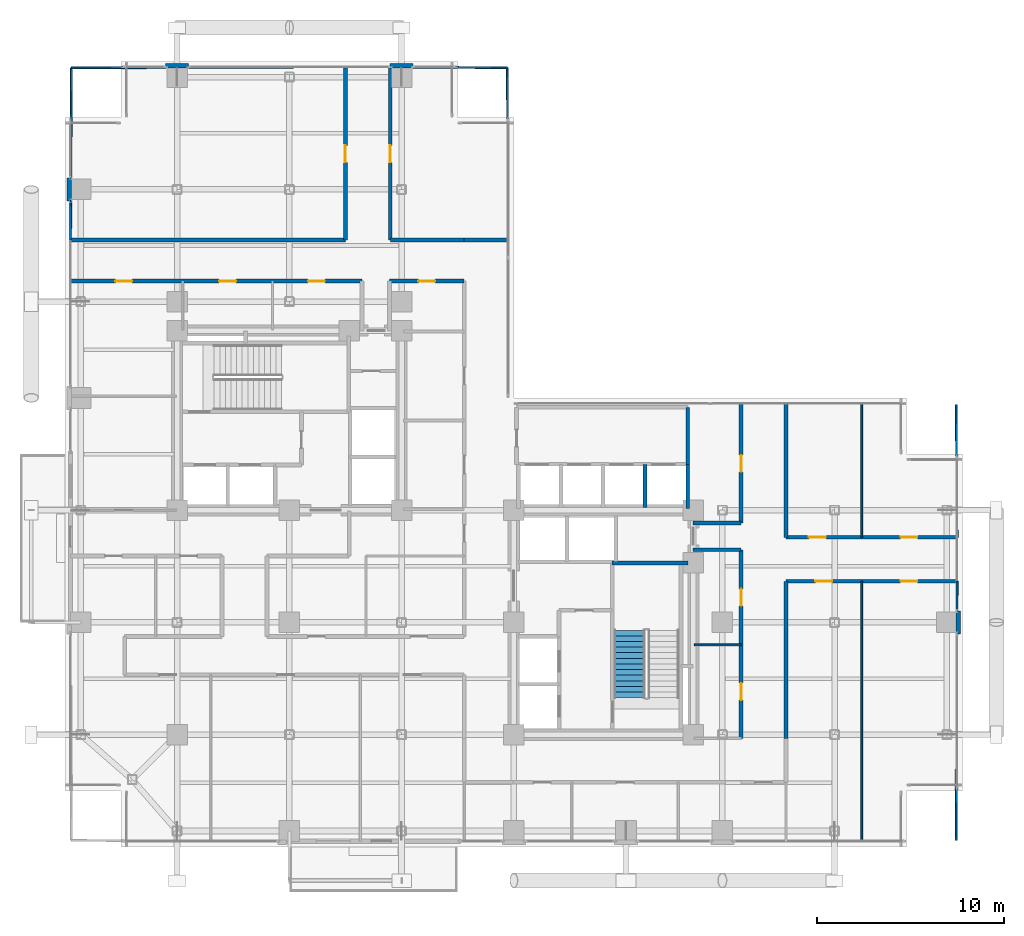
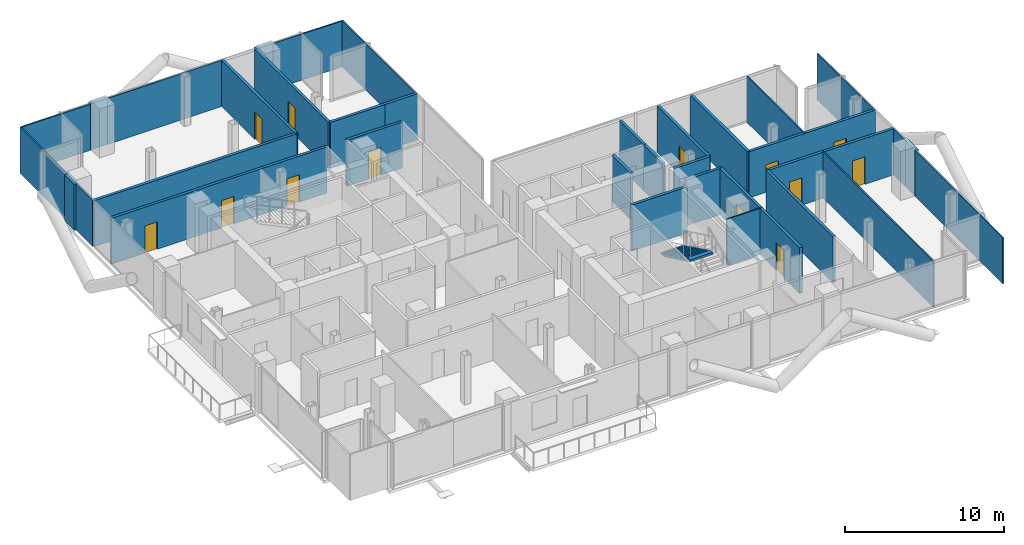
# One storey, part 21 of 24: 35 walls, 13 doors, 1 stair flight, 13 openings, 1 element without a shape of its own.
"""IFC4 building model written with IfcOpenShell, lengths in metres."""

import ifcopenshell
import ifcopenshell.guid

model = None  # the IFC model being written
_history = None  # IfcOwnerHistory: only IFC2X3 demands one
_inside = {}  # id of a spatial element -> (the spatial element, [elements in it])
_under = {}  # id of a project, library or spatial element -> (it, [spatial elements below it])
_declared = {}  # id of a project -> (the project, [libraries it declares])
_typed = {}  # id of a type object -> (the type object, [elements of that type])
_made_of = {}  # id of a material, layer set ... -> (it, [elements and type objects made of it])


def new_model(schema):
    """Start an empty IFC model of exactly this schema.

    Asked for "IFC4X3", IfcOpenShell would pick the latest addendum, in which some entities
    have other attributes; the version numbers below select the first issue.
    IFC2X3 requires an IfcOwnerHistory on every rooted entity: one is made here for all.
    """
    global model, _history
    if schema == "IFC4X3":
        model = ifcopenshell.file(schema_version=(4, 3, 0, 0))
    else:
        model = ifcopenshell.file(schema=schema)
    _inside.clear()
    _under.clear()
    _declared.clear()
    _typed.clear()
    _made_of.clear()
    _history = None
    if model.schema == "IFC2X3":
        org = make("IfcOrganization", Name="unknown")
        user = make(
            "IfcPersonAndOrganization",
            ThePerson=make("IfcPerson", FamilyName="unknown"),
            TheOrganization=org,
        )
        app = make(
            "IfcApplication",
            ApplicationDeveloper=org,
            Version="unknown",
            ApplicationFullName="unknown",
            ApplicationIdentifier="unknown",
        )
        _history = make(
            "IfcOwnerHistory",
            OwningUser=user,
            OwningApplication=app,
            ChangeAction="ADDED",
            CreationDate=0,
        )
    return model


def make(cls, **values):
    """One entity of the class cls with the attributes given. An attribute that is None is left unset."""
    return model.create_entity(
        cls, **{name: value for name, value in values.items() if value is not None}
    )


def rooted(cls, **values):
    """An entity with a GlobalId (a new one), such as an element, a storey or a relation."""
    return make(cls, GlobalId=ifcopenshell.guid.new(), OwnerHistory=_history, **values)


def si_unit(unit_type, name, prefix=None):
    """IfcSIUnit, for example si_unit("LENGTHUNIT", "METRE", prefix="MILLI")."""
    return make("IfcSIUnit", UnitType=unit_type, Prefix=prefix, Name=name)


def assignment(units):
    """IfcUnitAssignment: the units of a project."""
    return None if units is None else make("IfcUnitAssignment", Units=units)


def point(xyz):
    """IfcCartesianPoint."""
    return None if xyz is None else make("IfcCartesianPoint", Coordinates=xyz)


def direction(xyz):
    """IfcDirection."""
    return None if xyz is None else make("IfcDirection", DirectionRatios=xyz)


def frame(location, z_axis=None, x_axis=None):
    """IfcAxis2Placement3D, a coordinate frame: its origin and axes. An axis left out is left unset."""
    return make(
        "IfcAxis2Placement3D",
        Location=point(location),
        Axis=direction(z_axis),
        RefDirection=direction(x_axis),
    )


def frame_2d(location, x_axis=None):
    """IfcAxis2Placement2D, a coordinate frame in the plane: its origin and x axis."""
    return make(
        "IfcAxis2Placement2D", Location=point(location), RefDirection=direction(x_axis)
    )


def origin():
    """The frame at (0, 0, 0) with its axes left unset."""
    return frame((0.0, 0.0, 0.0))


def place(relative_to, where):
    """IfcLocalPlacement: puts the frame where relative to a parent placement (None: the world)."""
    return make(
        "IfcLocalPlacement", PlacementRelTo=relative_to, RelativePlacement=where
    )


def context(
    kind, dimensions, precision=None, world=None, true_north=None, identifier=None
):
    """IfcGeometricRepresentationContext, for example the 3D "Model" context."""
    return make(
        "IfcGeometricRepresentationContext",
        ContextIdentifier=identifier,
        ContextType=kind,
        CoordinateSpaceDimension=dimensions,
        Precision=precision,
        WorldCoordinateSystem=world,
        TrueNorth=true_north,
    )


def subcontext(parent, identifier, kind, view, scale=None):
    """IfcGeometricRepresentationSubContext, for example "Body" below "Model"."""
    return make(
        "IfcGeometricRepresentationSubContext",
        ContextIdentifier=identifier,
        ContextType=kind,
        ParentContext=parent,
        TargetScale=scale,
        TargetView=view,
    )


def project(units=None, contexts=None):
    """IfcProject with its units and contexts."""
    return rooted(
        "IfcProject",
        Name="project",
        RepresentationContexts=contexts,
        UnitsInContext=assignment(units),
    )


def spatial(cls, under=None, at=None, **own):
    """A site, building, storey or space (cls), placed at a placement, below another one or the project."""
    s = rooted(cls, ObjectPlacement=at, **own)
    if under is not None:
        _under.setdefault(under.id(), (under, []))[1].append(s)
    return s


def polyline(points):
    """IfcPolyline through the points."""
    return make("IfcPolyline", Points=[point(p) for p in points])


def profile(cls, at=None, kind="AREA", **sizes):
    """A parametric profile (cls). Its sizes go by their IFC names, for example OverallWidth=200.0."""
    return make(cls, ProfileType=kind, Position=at, **sizes)


def rectangle(**sizes):
    """IfcRectangleProfileDef."""
    return profile("IfcRectangleProfileDef", **sizes)


def outline(outer, holes=None, kind="AREA"):
    """IfcArbitraryClosedProfileDef: a profile drawn as a closed curve; with holes, ...WithVoids."""
    if holes is None:
        return make("IfcArbitraryClosedProfileDef", ProfileType=kind, OuterCurve=outer)
    return make(
        "IfcArbitraryProfileDefWithVoids",
        ProfileType=kind,
        OuterCurve=outer,
        InnerCurves=holes,
    )


def extrude(swept, where, along, depth):
    """IfcExtrudedAreaSolid: the profile swept, set in the frame where, extruded along a direction by depth."""
    return make(
        "IfcExtrudedAreaSolid",
        SweptArea=swept,
        Position=where,
        ExtrudedDirection=direction(along),
        Depth=depth,
    )


def shape(context_of_items, identifier, shape_type, items):
    """IfcShapeRepresentation: the items that make up one representation, for example the "Body"."""
    return make(
        "IfcShapeRepresentation",
        ContextOfItems=context_of_items,
        RepresentationIdentifier=identifier,
        RepresentationType=shape_type,
        Items=items,
    )


def material(Name=None, Category=None):
    """IfcMaterial."""
    return make("IfcMaterial", Name=Name, Category=Category)


def layer(
    of_material, thickness, ventilated=None, Name=None, Category=None, Priority=None
):
    """IfcMaterialLayer: one layer of a wall or slab, of a material (None: an air gap)."""
    return make(
        "IfcMaterialLayer",
        Material=of_material,
        LayerThickness=thickness,
        IsVentilated=ventilated,
        Name=Name,
        Category=Category,
        Priority=Priority,
    )


def layer_set(layers, Name=None):
    """IfcMaterialLayerSet."""
    return make("IfcMaterialLayerSet", MaterialLayers=layers, LayerSetName=Name)


def made_of(thing, what):
    """Note that an element or type object is made of a material, layer set ...; save() writes the relation."""
    if what is not None:
        _made_of.setdefault(what.id(), (what, []))[1].append(thing)
    return thing


def type_object(cls, material=None, **own):
    """A type object (cls), such as IfcWallType, which elements share."""
    return made_of(rooted(cls, **own), material)


def element(
    cls,
    number,
    at=None,
    inside=None,
    cuts=None,
    type_object=None,
    material=None,
    context=None,
    identifier="Body",
    shape_type=None,
    held_by="IfcProductDefinitionShape",
    body=None,
    shapes=None,
    **own,
):
    """One element of the class cls, such as IfcWall. Its Tag is "e" and its number.

    at: its placement. inside: the storey or other place that contains it. cuts: it is an
    opening in that element (IfcRelVoidsElement). A single representation is given by context,
    identifier, shape_type and body (its items); several are given by shapes. held_by: the class
    of the entity that holds the representations. save() writes the other relations.
    """
    e = rooted(cls, Tag="e%d" % number, ObjectPlacement=at, **own)
    if body is not None:
        shapes = [shape(context, identifier, shape_type, body)]
    if shapes is not None:
        e.Representation = make(held_by, Representations=shapes)
    if inside is not None:
        _inside.setdefault(inside.id(), (inside, []))[1].append(e)
    if cuts is not None:
        rooted(
            "IfcRelVoidsElement", RelatingBuildingElement=cuts, RelatedOpeningElement=e
        )
    if type_object is not None:
        _typed.setdefault(type_object.id(), (type_object, []))[1].append(e)
    return made_of(e, material)


def fill(opening, filler):
    """IfcRelFillsElement: the door or window that sits in an opening."""
    return rooted(
        "IfcRelFillsElement",
        RelatingOpeningElement=opening,
        RelatedBuildingElement=filler,
    )


def aggregate(whole, parts):
    """IfcRelAggregates: a whole, such as a stair, and the parts it consists of."""
    return rooted("IfcRelAggregates", RelatingObject=whole, RelatedObjects=parts)


def save(model, path):
    """Write the relations noted so far, then the file.

    IfcRelAggregates (storeys below a building ...), IfcRelContainedInSpatialStructure (elements
    in a storey), IfcRelDefinesByType, IfcRelAssociatesMaterial and IfcRelDeclares: one each for
    every whole, place, type object, material and project.
    """
    for whole, parts in _under.values():
        aggregate(whole, parts)
    for where, things in _inside.values():
        rooted(
            "IfcRelContainedInSpatialStructure",
            RelatedElements=things,
            RelatingStructure=where,
        )
    for kind, things in _typed.values():
        rooted("IfcRelDefinesByType", RelatedObjects=things, RelatingType=kind)
    for what, things in _made_of.values():
        rooted("IfcRelAssociatesMaterial", RelatedObjects=things, RelatingMaterial=what)
    for by, libraries in _declared.values():
        rooted("IfcRelDeclares", RelatingContext=by, RelatedDefinitions=libraries)
    model.write(path)


model = new_model("IFC4")

# Units and contexts
model_context = context("Model", 3, precision=1e-05, world=origin(), true_north=direction((0.0, 1.0)))
body_context = subcontext(model_context, "Body", "Model", "MODEL_VIEW")
ifc_project = project(units=[si_unit("LENGTHUNIT", "METRE"), si_unit("AREAUNIT", "SQUARE_METRE"), si_unit("VOLUMEUNIT", "CUBIC_METRE"), si_unit("PLANEANGLEUNIT", "RADIAN"), si_unit("MASSUNIT", "GRAM", prefix="KILO"), si_unit("THERMODYNAMICTEMPERATUREUNIT", "KELVIN"), si_unit("POWERUNIT", "WATT")], contexts=[model_context])

# Site, building, storey
site_placement = place(None, origin())
site = spatial("IfcSite", under=ifc_project, at=site_placement, CompositionType="ELEMENT")
building_placement = place(site_placement, origin())
building = spatial("IfcBuilding", under=site, at=building_placement, Name="Svarakhadi Broadcast Tower", CompositionType="ELEMENT")
storey_placement = place(building_placement, frame((0.0, 0.0, 141.89990234375)))
storey = spatial("IfcBuildingStorey", under=building, at=storey_placement, Name="L34", CompositionType="ELEMENT", Elevation=141.89990234375)

# Wall, openings, doors
ifc_material_1 = material(Name="Double-Stud Acoustic Studio Partition STC-62", Category="gypsum")
ifc_layer_1 = layer(ifc_material_1, 0.199951171875)
ifc_layer_set_1 = layer_set([ifc_layer_1], Name="Double-Stud Acoustic Studio Partition STC-62")
wall_type_1 = type_object("IfcWallType", Name="Wall_Acoust_200", PredefinedType="PARTITIONING", material=ifc_layer_set_1)
wall_1_placement = place(storey_placement, frame((36.14990234375, 5.800048828125, 0.0), z_axis=(0.0, 0.0, 1.0), x_axis=(0.0, 1.0, 0.0)))
wall_1 = element("IfcWall", 1, at=wall_1_placement, inside=storey, type_object=wall_type_1, Name="L34 Zone 2/3 Corridor Wall", PredefinedType="PARTITIONING", context=body_context, shape_type="SweptSolid", body=[
    extrude(rectangle(XDim=10.079833984375, YDim=0.199951171875, at=frame_2d((5.0400390625, 0.0))), origin(), (0.0, 0.0, 1.0), 3.525146484375),
])
opening_1_placement = place(wall_1_placement, frame((2.050048828125, 0.0, 0.0)))
opening_1 = element("IfcOpeningElement", 2, at=opening_1_placement, cuts=wall_1, Name="Opening D-15", PredefinedType="OPENING", context=body_context, shape_type="SweptSolid", body=[
    extrude(rectangle(XDim=0.89990234375, YDim=2.10009765625, at=frame_2d((0.449951171875, 1.050048828125))), frame((0.0, 0.10986328125, 0.0), z_axis=(0.0, -1.0, 0.0), x_axis=(1.0, 0.0, 0.0)), (0.0, 0.0, 1.0), 0.219970703125),
])
opening_2_placement = place(wall_1_placement, frame((7.090087890625, 0.0, 0.0)))
opening_2 = element("IfcOpeningElement", 3, at=opening_2_placement, cuts=wall_1, Name="Opening D-15", PredefinedType="OPENING", context=body_context, shape_type="SweptSolid", body=[
    extrude(rectangle(XDim=0.89990234375, YDim=2.10009765625, at=frame_2d((0.449951171875, 1.050048828125))), frame((0.0, 0.10986328125, 0.0), z_axis=(0.0, -1.0, 0.0), x_axis=(1.0, 0.0, 0.0)), (0.0, 0.0, 1.0), 0.219970703125),
])
ifc_material_2 = material(Name="Solid-Core Teak Veneer Acoustic Timber Leaf", Category="wood")
door_type_1 = type_object("IfcDoorType", Name="Door_Int_D15", OperationType="SINGLE_SWING_RIGHT", PredefinedType="DOOR", material=ifc_material_2)
door_1_placement = place(opening_1_placement, origin())
door_1 = element("IfcDoor", 4, at=door_1_placement, inside=storey, type_object=door_type_1, Name="L34 Media Playout Monitoring Office Door", OperationType="SINGLE_SWING_RIGHT", OverallHeight=2.10009765625, OverallWidth=0.89990234375, PredefinedType="DOOR", context=body_context, shape_type="SweptSolid", body=[
    extrude(rectangle(XDim=0.89990234375, YDim=2.10009765625, at=frame_2d((0.449951171875, 1.050048828125))), frame((0.0, 0.02490234375, 0.0), z_axis=(0.0, -1.0, 0.0), x_axis=(1.0, 0.0, 0.0)), (0.0, 0.0, 1.0), 0.050048828125),
])
fill(opening_1, door_1)
door_2_placement = place(opening_2_placement, origin())
door_2 = element("IfcDoor", 5, at=door_2_placement, inside=storey, type_object=door_type_1, Name="L34 Broadcast Ingest Studio Door", OperationType="SINGLE_SWING_RIGHT", OverallHeight=2.10009765625, OverallWidth=0.89990234375, PredefinedType="DOOR", context=body_context, shape_type="SweptSolid", body=[
    extrude(rectangle(XDim=0.89990234375, YDim=2.10009765625, at=frame_2d((0.449951171875, 1.050048828125))), frame((0.0, 0.02490234375, 0.0), z_axis=(0.0, -1.0, 0.0), x_axis=(1.0, 0.0, 0.0)), (0.0, 0.0, 1.0), 0.050048828125),
])
fill(opening_2, door_2)

# Walls
for number, where, z_axis, x_axis, name in (
    (6, (36.14990234375, 15.8798828125, 0.0), (0.0, 0.0, 1.0), (-1.0, 0.0, 0.0), "L34 Zone 2/3 Corridor Wall"),
    (7, (33.580078125, 17.320068359375, 0.0), (0.0, 0.0, 1.0), (1.0, 0.0, 0.0), "L34 Zone 2/3 Corridor Wall"),
):
    element("IfcWall", number, at=place(storey_placement, frame(where, z_axis=z_axis, x_axis=x_axis)), inside=storey, type_object=wall_type_1, Name=name, PredefinedType="PARTITIONING", context=body_context, shape_type="SweptSolid", body=[
        extrude(rectangle(XDim=2.56982421875, YDim=0.199951171875, at=frame_2d((1.284912109375, 0.0))), origin(), (0.0, 0.0, 1.0), 3.525146484375),
    ])

# Wall, opening, door
wall_2_placement = place(storey_placement, frame((36.14990234375, 17.320068359375, 0.0), z_axis=(0.0, 0.0, 1.0), x_axis=(0.0, 1.0, 0.0)))
wall_2 = element("IfcWall", 8, at=wall_2_placement, inside=storey, type_object=wall_type_1, Name="L34 Zone 2/3 Corridor Wall", PredefinedType="PARTITIONING", context=body_context, shape_type="SweptSolid", body=[
    extrude(rectangle(XDim=6.3798828125, YDim=0.199951171875, at=frame_2d((3.18994140625, 0.0))), origin(), (0.0, 0.0, 1.0), 3.525146484375),
])
opening_3_placement = place(wall_2_placement, frame((2.72998046875, 0.0, 0.0)))
opening_3 = element("IfcOpeningElement", 9, at=opening_3_placement, cuts=wall_2, Name="Opening D-15", PredefinedType="OPENING", context=body_context, shape_type="SweptSolid", body=[
    extrude(rectangle(XDim=0.89990234375, YDim=2.10009765625, at=frame_2d((0.449951171875, 1.050048828125))), frame((0.0, 0.10986328125, 0.0), z_axis=(0.0, -1.0, 0.0), x_axis=(1.0, 0.0, 0.0)), (0.0, 0.0, 1.0), 0.219970703125),
])
door_3_placement = place(opening_3_placement, origin())
door_3 = element("IfcDoor", 10, at=door_3_placement, inside=storey, type_object=door_type_1, Name="L34 Post-Production Coordination Office Door", OperationType="SINGLE_SWING_RIGHT", OverallHeight=2.10009765625, OverallWidth=0.89990234375, PredefinedType="DOOR", context=body_context, shape_type="SweptSolid", body=[
    extrude(rectangle(XDim=0.89990234375, YDim=2.10009765625, at=frame_2d((0.449951171875, 1.050048828125))), frame((0.0, 0.02490234375, 0.0), z_axis=(0.0, -1.0, 0.0), x_axis=(1.0, 0.0, 0.0)), (0.0, 0.0, 1.0), 0.050048828125),
])
fill(opening_3, door_3)

# Wall
wall_3_placement = place(storey_placement, frame((38.550048828125, 23.699951171875, 0.0), z_axis=(0.0, 0.0, 1.0), x_axis=(0.0, -1.0, 0.0)))
element("IfcWall", 11, at=wall_3_placement, inside=storey, type_object=wall_type_1, Name="L34 Zone 2/3 Corridor Wall", PredefinedType="PARTITIONING", context=body_context, shape_type="SweptSolid", body=[
    extrude(rectangle(XDim=7.14990234375, YDim=0.199951171875, at=frame_2d((3.574951171875, 0.0))), origin(), (0.0, 0.0, 1.0), 3.525146484375),
])

# Wall, openings, doors
wall_4_placement = place(storey_placement, frame((38.550048828125, 16.550048828125, 0.0), z_axis=(0.0, 0.0, 1.0), x_axis=(1.0, 0.0, 0.0)))
wall_4 = element("IfcWall", 12, at=wall_4_placement, inside=storey, type_object=wall_type_1, Name="L34 Zone 2/3 Corridor Wall", PredefinedType="PARTITIONING", context=body_context, shape_type="SweptSolid", body=[
    extrude(rectangle(XDim=9.14990234375, YDim=0.199951171875, at=frame_2d((4.574951171875, 0.0))), origin(), (0.0, 0.0, 1.0), 3.525146484375),
])
opening_4_placement = place(wall_4_placement, frame((1.22998046875, 0.0, 0.0)))
opening_4 = element("IfcOpeningElement", 13, at=opening_4_placement, cuts=wall_4, Name="Opening D-14", PredefinedType="OPENING", context=body_context, shape_type="SweptSolid", body=[
    extrude(rectangle(XDim=0.89990234375, YDim=2.10009765625, at=frame_2d((0.449951171875, 1.050048828125))), frame((0.0, 0.10986328125, 0.0), z_axis=(0.0, -1.0, 0.0), x_axis=(1.0, 0.0, 0.0)), (0.0, 0.0, 1.0), 0.219970703125),
])
opening_5_placement = place(wall_4_placement, frame((6.125, 0.0, 0.0)))
opening_5 = element("IfcOpeningElement", 14, at=opening_5_placement, cuts=wall_4, Name="Opening D-15", PredefinedType="OPENING", context=body_context, shape_type="SweptSolid", body=[
    extrude(rectangle(XDim=0.89990234375, YDim=2.10009765625, at=frame_2d((0.449951171875, 1.050048828125))), frame((0.0, 0.10986328125, 0.0), z_axis=(0.0, -1.0, 0.0), x_axis=(1.0, 0.0, 0.0)), (0.0, 0.0, 1.0), 0.219970703125),
])
door_type_2 = type_object("IfcDoorType", Name="Door_Int_D14", OperationType="SINGLE_SWING_LEFT", PredefinedType="DOOR", material=ifc_material_2)
door_4_placement = place(opening_4_placement, origin())
door_4 = element("IfcDoor", 15, at=door_4_placement, inside=storey, type_object=door_type_2, Name="L34 Broadcast Graphics Room Door", OperationType="SINGLE_SWING_LEFT", OverallHeight=2.10009765625, OverallWidth=0.89990234375, PredefinedType="DOOR", context=body_context, shape_type="SweptSolid", body=[
    extrude(rectangle(XDim=0.89990234375, YDim=2.10009765625, at=frame_2d((0.449951171875, 1.050048828125))), frame((0.0, 0.02490234375, 0.0), z_axis=(0.0, -1.0, 0.0), x_axis=(1.0, 0.0, 0.0)), (0.0, 0.0, 1.0), 0.050048828125),
])
fill(opening_4, door_4)
door_5_placement = place(opening_5_placement, origin())
door_5 = element("IfcDoor", 16, at=door_5_placement, inside=storey, type_object=door_type_1, Name="L34 Graphics Workstation Office Door", OperationType="SINGLE_SWING_RIGHT", OverallHeight=2.10009765625, OverallWidth=0.89990234375, PredefinedType="DOOR", context=body_context, shape_type="SweptSolid", body=[
    extrude(rectangle(XDim=0.89990234375, YDim=2.10009765625, at=frame_2d((0.449951171875, 1.050048828125))), frame((0.0, 0.02490234375, 0.0), z_axis=(0.0, -1.0, 0.0), x_axis=(1.0, 0.0, 0.0)), (0.0, 0.0, 1.0), 0.050048828125),
])
fill(opening_5, door_5)

wall_5_placement = place(storey_placement, frame((47.699951171875, 14.199951171875, 0.0), z_axis=(0.0, 0.0, 1.0), x_axis=(-1.0, 0.0, 0.0)))
wall_5 = element("IfcWall", 17, at=wall_5_placement, inside=storey, type_object=wall_type_1, Name="L34 Zone 2/3 Corridor Wall", PredefinedType="PARTITIONING", context=body_context, shape_type="SweptSolid", body=[
    extrude(rectangle(XDim=9.14990234375, YDim=0.199951171875, at=frame_2d((4.574951171875, 0.0))), origin(), (0.0, 0.0, 1.0), 3.525146484375),
])
opening_6_placement = place(wall_5_placement, frame((6.675048828125, 0.0, 0.0)))
opening_6 = element("IfcOpeningElement", 18, at=opening_6_placement, cuts=wall_5, Name="Opening D-14", PredefinedType="OPENING", context=body_context, shape_type="SweptSolid", body=[
    extrude(rectangle(XDim=0.89990234375, YDim=2.10009765625, at=frame_2d((0.449951171875, 1.050048828125))), frame((0.0, 0.10986328125, 0.0), z_axis=(0.0, -1.0, 0.0), x_axis=(1.0, 0.0, 0.0)), (0.0, 0.0, 1.0), 0.219970703125),
])
opening_7_placement = place(wall_5_placement, frame((2.125, 0.0, 0.0)))
opening_7 = element("IfcOpeningElement", 19, at=opening_7_placement, cuts=wall_5, Name="Opening D-15", PredefinedType="OPENING", context=body_context, shape_type="SweptSolid", body=[
    extrude(rectangle(XDim=0.89990234375, YDim=2.10009765625, at=frame_2d((0.449951171875, 1.050048828125))), frame((0.0, 0.10986328125, 0.0), z_axis=(0.0, -1.0, 0.0), x_axis=(1.0, 0.0, 0.0)), (0.0, 0.0, 1.0), 0.219970703125),
])
door_6_placement = place(opening_6_placement, origin())
door_6 = element("IfcDoor", 20, at=door_6_placement, inside=storey, type_object=door_type_2, Name="L34 Concept Art Pod Door", OperationType="SINGLE_SWING_LEFT", OverallHeight=2.10009765625, OverallWidth=0.89990234375, PredefinedType="DOOR", context=body_context, shape_type="SweptSolid", body=[
    extrude(rectangle(XDim=0.89990234375, YDim=2.10009765625, at=frame_2d((0.449951171875, 1.050048828125))), frame((0.0, 0.02490234375, 0.0), z_axis=(0.0, -1.0, 0.0), x_axis=(1.0, 0.0, 0.0)), (0.0, 0.0, 1.0), 0.050048828125),
])
fill(opening_6, door_6)
door_7_placement = place(opening_7_placement, origin())
door_7 = element("IfcDoor", 21, at=door_7_placement, inside=storey, type_object=door_type_1, Name="L34 3D Rigging Pod Door", OperationType="SINGLE_SWING_RIGHT", OverallHeight=2.10009765625, OverallWidth=0.89990234375, PredefinedType="DOOR", context=body_context, shape_type="SweptSolid", body=[
    extrude(rectangle(XDim=0.89990234375, YDim=2.10009765625, at=frame_2d((0.449951171875, 1.050048828125))), frame((0.0, 0.02490234375, 0.0), z_axis=(0.0, -1.0, 0.0), x_axis=(1.0, 0.0, 0.0)), (0.0, 0.0, 1.0), 0.050048828125),
])
fill(opening_7, door_7)

# Wall
wall_6_placement = place(storey_placement, frame((38.550048828125, 14.199951171875, 0.0), z_axis=(0.0, 0.0, 1.0), x_axis=(0.0, -1.0, 0.0)))
element("IfcWall", 22, at=wall_6_placement, inside=storey, type_object=wall_type_1, Name="L34 Zone 2/3 Corridor Wall", PredefinedType="PARTITIONING", context=body_context, shape_type="SweptSolid", body=[
    extrude(rectangle(XDim=8.39990234375, YDim=0.199951171875, at=frame_2d((4.199951171875, 0.0))), origin(), (0.0, 0.0, 1.0), 3.525146484375),
])

# Wall, opening, door
wall_7_placement = place(storey_placement, frame((21.35009765625, 30.25, 0.0), z_axis=(0.0, 0.0, 1.0), x_axis=(-1.0, 0.0, 0.0)))
wall_7 = element("IfcWall", 23, at=wall_7_placement, inside=storey, type_object=wall_type_1, Name="L34 Zone 2/3 Corridor Wall", PredefinedType="PARTITIONING", context=body_context, shape_type="SweptSolid", body=[
    extrude(rectangle(XDim=4.0, YDim=0.199951171875, at=frame_2d((2.0, 0.0))), origin(), (0.0, 0.0, 1.0), 3.525146484375),
])
opening_8_placement = place(wall_7_placement, frame((1.550048828125, 0.0, 0.0)))
opening_8 = element("IfcOpeningElement", 24, at=opening_8_placement, cuts=wall_7, Name="Opening D-14", PredefinedType="OPENING", context=body_context, shape_type="SweptSolid", body=[
    extrude(rectangle(XDim=0.89990234375, YDim=2.10009765625, at=frame_2d((0.449951171875, 1.050048828125))), frame((0.0, 0.10986328125, 0.0), z_axis=(0.0, -1.0, 0.0), x_axis=(1.0, 0.0, 0.0)), (0.0, 0.0, 1.0), 0.219970703125),
])
door_8_placement = place(opening_8_placement, origin())
door_8 = element("IfcDoor", 25, at=door_8_placement, inside=storey, type_object=door_type_2, Name="L34 Media Continuity Study Door", OperationType="SINGLE_SWING_LEFT", OverallHeight=2.10009765625, OverallWidth=0.89990234375, PredefinedType="DOOR", context=body_context, shape_type="SweptSolid", body=[
    extrude(rectangle(XDim=0.89990234375, YDim=2.10009765625, at=frame_2d((0.449951171875, 1.050048828125))), frame((0.0, 0.02490234375, 0.0), z_axis=(0.0, -1.0, 0.0), x_axis=(1.0, 0.0, 0.0)), (0.0, 0.0, 1.0), 0.050048828125),
])
fill(opening_8, door_8)

# Wall, openings, doors
wall_8_placement = place(storey_placement, frame((15.8798828125, 30.25, 0.0), z_axis=(0.0, 0.0, 1.0), x_axis=(-1.0, 0.0, 0.0)))
wall_8 = element("IfcWall", 26, at=wall_8_placement, inside=storey, type_object=wall_type_1, Name="L34 Zone 2/3 Corridor Wall", PredefinedType="PARTITIONING", context=body_context, shape_type="SweptSolid", body=[
    extrude(rectangle(XDim=15.579833984375, YDim=0.199951171875, at=frame_2d((7.7900390625, 0.0))), origin(), (0.0, 0.0, 1.0), 3.525146484375),
])
opening_9_placement = place(wall_8_placement, frame((12.280029296875, 0.0, 0.0)))
opening_9 = element("IfcOpeningElement", 27, at=opening_9_placement, cuts=wall_8, Name="Opening D-14", PredefinedType="OPENING", context=body_context, shape_type="SweptSolid", body=[
    extrude(rectangle(XDim=0.89990234375, YDim=2.10009765625, at=frame_2d((0.449951171875, 1.050048828125))), frame((0.0, 0.10986328125, 0.0), z_axis=(0.0, -1.0, 0.0), x_axis=(1.0, 0.0, 0.0)), (0.0, 0.0, 1.0), 0.219970703125),
])
opening_10_placement = place(wall_8_placement, frame((6.72998046875, 0.0, 0.0)))
opening_10 = element("IfcOpeningElement", 28, at=opening_10_placement, cuts=wall_8, Name="Opening D-15", PredefinedType="OPENING", context=body_context, shape_type="SweptSolid", body=[
    extrude(rectangle(XDim=0.89990234375, YDim=2.10009765625, at=frame_2d((0.449951171875, 1.050048828125))), frame((0.0, 0.10986328125, 0.0), z_axis=(0.0, -1.0, 0.0), x_axis=(1.0, 0.0, 0.0)), (0.0, 0.0, 1.0), 0.219970703125),
])
opening_11_placement = place(wall_8_placement, frame((1.97998046875, 0.0, 0.0)))
opening_11 = element("IfcOpeningElement", 29, at=opening_11_placement, cuts=wall_8, Name="Opening D-14", PredefinedType="OPENING", context=body_context, shape_type="SweptSolid", body=[
    extrude(rectangle(XDim=0.89990234375, YDim=2.10009765625, at=frame_2d((0.449951171875, 1.050048828125))), frame((0.0, 0.10986328125, 0.0), z_axis=(0.0, -1.0, 0.0), x_axis=(1.0, 0.0, 0.0)), (0.0, 0.0, 1.0), 0.219970703125),
])
door_9_placement = place(opening_9_placement, origin())
door_9 = element("IfcDoor", 30, at=door_9_placement, inside=storey, type_object=door_type_2, Name="L34 Sunset Horizon Screening Room Door", OperationType="SINGLE_SWING_LEFT", OverallHeight=2.10009765625, OverallWidth=0.89990234375, PredefinedType="DOOR", context=body_context, shape_type="SweptSolid", body=[
    extrude(rectangle(XDim=0.89990234375, YDim=2.10009765625, at=frame_2d((0.449951171875, 1.050048828125))), frame((0.0, 0.02490234375, 0.0), z_axis=(0.0, -1.0, 0.0), x_axis=(1.0, 0.0, 0.0)), (0.0, 0.0, 1.0), 0.050048828125),
])
fill(opening_9, door_9)
door_10_placement = place(opening_11_placement, origin())
door_10 = element("IfcDoor", 31, at=door_10_placement, inside=storey, type_object=door_type_2, Name="L34 Editorial Color Grading Pod Door", OperationType="SINGLE_SWING_LEFT", OverallHeight=2.10009765625, OverallWidth=0.89990234375, PredefinedType="DOOR", context=body_context, shape_type="SweptSolid", body=[
    extrude(rectangle(XDim=0.89990234375, YDim=2.10009765625, at=frame_2d((0.449951171875, 1.050048828125))), frame((0.0, 0.02490234375, 0.0), z_axis=(0.0, -1.0, 0.0), x_axis=(1.0, 0.0, 0.0)), (0.0, 0.0, 1.0), 0.050048828125),
])
fill(opening_11, door_10)
door_11_placement = place(opening_10_placement, origin())
door_11 = element("IfcDoor", 32, at=door_11_placement, inside=storey, type_object=door_type_1, Name="L34 Acoustic Dubbing Booth Door", OperationType="SINGLE_SWING_RIGHT", OverallHeight=2.10009765625, OverallWidth=0.89990234375, PredefinedType="DOOR", context=body_context, shape_type="SweptSolid", body=[
    extrude(rectangle(XDim=0.89990234375, YDim=2.10009765625, at=frame_2d((0.449951171875, 1.050048828125))), frame((0.0, 0.02490234375, 0.0), z_axis=(0.0, -1.0, 0.0), x_axis=(1.0, 0.0, 0.0)), (0.0, 0.0, 1.0), 0.050048828125),
])
fill(opening_10, door_11)

# Wall
wall_9_placement = place(storey_placement, frame((0.300048828125, 32.449951171875, 0.0), z_axis=(0.0, 0.0, 1.0), x_axis=(1.0, 0.0, 0.0)))
element("IfcWall", 33, at=wall_9_placement, inside=storey, type_object=wall_type_1, Name="L34 Zone 2/3 Corridor Wall", PredefinedType="PARTITIONING", context=body_context, shape_type="SweptSolid", body=[
    extrude(rectangle(XDim=14.699951171875, YDim=0.199951171875, at=frame_2d((7.35009765625, 0.0))), origin(), (0.0, 0.0, 1.0), 3.525146484375),
])

# Wall, opening, door
wall_10_placement = place(storey_placement, frame((15.0, 32.449951171875, 0.0), z_axis=(0.0, 0.0, 1.0), x_axis=(0.0, 1.0, 0.0)))
wall_10 = element("IfcWall", 34, at=wall_10_placement, inside=storey, type_object=wall_type_1, Name="L34 Zone 2/3 Corridor Wall", PredefinedType="PARTITIONING", context=body_context, shape_type="SweptSolid", body=[
    extrude(rectangle(XDim=9.25, YDim=0.199951171875, at=frame_2d((4.625, 0.0))), origin(), (0.0, 0.0, 1.0), 3.525146484375),
])
opening_12_placement = place(wall_10_placement, frame((4.14990234375, 0.0, 0.0)))
opening_12 = element("IfcOpeningElement", 35, at=opening_12_placement, cuts=wall_10, Name="Opening D-15", PredefinedType="OPENING", context=body_context, shape_type="SweptSolid", body=[
    extrude(rectangle(XDim=0.89990234375, YDim=2.10009765625, at=frame_2d((0.449951171875, 1.050048828125))), frame((0.0, 0.10986328125, 0.0), z_axis=(0.0, -1.0, 0.0), x_axis=(1.0, 0.0, 0.0)), (0.0, 0.0, 1.0), 0.219970703125),
])
door_12_placement = place(opening_12_placement, origin())
door_12 = element("IfcDoor", 36, at=door_12_placement, inside=storey, type_object=door_type_1, Name="L34 Creators Commons Bistro Door", OperationType="SINGLE_SWING_RIGHT", OverallHeight=2.10009765625, OverallWidth=0.89990234375, PredefinedType="DOOR", context=body_context, shape_type="SweptSolid", body=[
    extrude(rectangle(XDim=0.89990234375, YDim=2.10009765625, at=frame_2d((0.449951171875, 1.050048828125))), frame((0.0, 0.02490234375, 0.0), z_axis=(0.0, -1.0, 0.0), x_axis=(1.0, 0.0, 0.0)), (0.0, 0.0, 1.0), 0.050048828125),
])
fill(opening_12, door_12)

wall_11_placement = place(storey_placement, frame((17.39990234375, 41.699951171875, 0.0), z_axis=(0.0, 0.0, 1.0), x_axis=(0.0, -1.0, 0.0)))
wall_11 = element("IfcWall", 37, at=wall_11_placement, inside=storey, type_object=wall_type_1, Name="L34 Zone 2/3 Corridor Wall", PredefinedType="PARTITIONING", context=body_context, shape_type="SweptSolid", body=[
    extrude(rectangle(XDim=9.25, YDim=0.199951171875, at=frame_2d((4.625, 0.0))), origin(), (0.0, 0.0, 1.0), 3.525146484375),
])
opening_13_placement = place(wall_11_placement, frame((4.199951171875, 0.0, 0.0)))
opening_13 = element("IfcOpeningElement", 38, at=opening_13_placement, cuts=wall_11, Name="Opening D-14", PredefinedType="OPENING", context=body_context, shape_type="SweptSolid", body=[
    extrude(rectangle(XDim=0.89990234375, YDim=2.10009765625, at=frame_2d((0.449951171875, 1.050048828125))), frame((0.0, 0.10986328125, 0.0), z_axis=(0.0, -1.0, 0.0), x_axis=(1.0, 0.0, 0.0)), (0.0, 0.0, 1.0), 0.219970703125),
])
door_13_placement = place(opening_13_placement, origin())
door_13 = element("IfcDoor", 39, at=door_13_placement, inside=storey, type_object=door_type_2, Name="L34 Executive Producer Office Door", OperationType="SINGLE_SWING_LEFT", OverallHeight=2.10009765625, OverallWidth=0.89990234375, PredefinedType="DOOR", context=body_context, shape_type="SweptSolid", body=[
    extrude(rectangle(XDim=0.89990234375, YDim=2.10009765625, at=frame_2d((0.449951171875, 1.050048828125))), frame((0.0, 0.02490234375, 0.0), z_axis=(0.0, -1.0, 0.0), x_axis=(1.0, 0.0, 0.0)), (0.0, 0.0, 1.0), 0.050048828125),
])
fill(opening_13, door_13)

# Walls
wall_12_placement = place(storey_placement, frame((17.39990234375, 32.449951171875, 0.0), z_axis=(0.0, 0.0, 1.0), x_axis=(1.0, 0.0, 0.0)))
element("IfcWall", 40, at=wall_12_placement, inside=storey, type_object=wall_type_1, Name="L34 Zone 2/3 Corridor Wall", PredefinedType="PARTITIONING", context=body_context, shape_type="SweptSolid", body=[
    extrude(rectangle(XDim=3.9501953125, YDim=0.199951171875, at=frame_2d((1.97509765625, 0.0))), origin(), (0.0, 0.0, 1.0), 3.525146484375),
])
wall_13_placement = place(storey_placement, frame((21.35009765625, 32.449951171875, 0.0), z_axis=(0.0, 0.0, 1.0), x_axis=(1.0, 0.0, 0.0)))
element("IfcWall", 41, at=wall_13_placement, inside=storey, type_object=wall_type_1, Name="L34 Zone 2/3 Corridor Wall", PredefinedType="PARTITIONING", context=body_context, shape_type="SweptSolid", body=[
    extrude(rectangle(XDim=2.349853515625, YDim=0.199951171875, at=frame_2d((1.1748046875, 0.0))), origin(), (0.0, 0.0, 1.0), 3.525146484375),
])
ifc_material_3 = material(Name="Concrete C40/50 (IS 456 M50)", Category="concrete")
ifc_layer_2 = layer(ifc_material_3, 0.239990234375)
ifc_layer_set_2 = layer_set([ifc_layer_2], Name="Concrete C40/50 (IS 456 M50)")
wall_type_2 = type_object("IfcWallType", Name="Wall_Ext_240", PredefinedType="SOLIDWALL", material=ifc_layer_set_2)
for number, where, z_axis, x_axis, name in (
    (42, (0.239990234375, 34.534912109375, 0.0), (0.0, 0.0, 1.0), (0.0, 1.0, 0.0), "L34 Perimeter Bronze Spandrel Closure Wall 03"),
    (43, (5.385009765625, 41.760009765625, 0.0), (0.0, 0.0, 1.0), (1.0, 0.0, 0.0), "L34 Perimeter Bronze Spandrel Closure Wall 04"),
    (44, (17.385009765625, 41.760009765625, 0.0), (0.0, 0.0, 1.0), (1.0, 0.0, 0.0), "L34 Perimeter Bronze Spandrel Closure Wall 05"),
    (45, (47.760009765625, 12.614990234375, 0.0), (0.0, 0.0, 1.0), (0.0, -1.0, 0.0), "L34 Perimeter Bronze Spandrel Closure Wall 06"),
):
    element("IfcWall", number, at=place(storey_placement, frame(where, z_axis=z_axis, x_axis=x_axis)), inside=storey, type_object=wall_type_2, Name=name, PredefinedType="SOLIDWALL", context=body_context, shape_type="SweptSolid", body=[
        extrude(rectangle(XDim=1.22998046875, YDim=0.239990234375, at=frame_2d((0.614990234375, 0.0))), origin(), (0.0, 0.0, 1.0), 3.525146484375),
    ])
ifc_material_4 = material(Name="Fire-Rated Moisture-Resistant Gypsum Board Partition", Category="gypsum")
ifc_layer_3 = layer(ifc_material_4, 0.10009765625)
ifc_layer_set_3 = layer_set([ifc_layer_3], Name="Fire-Rated Moisture-Resistant Gypsum Board Partition")
wall_type_3 = type_object("IfcWallType", Name="Wall_Part_100", PredefinedType="PARTITIONING", material=ifc_layer_set_3)
wall_14_placement = place(storey_placement, frame((33.64990234375, 10.800048828125, 0.0), z_axis=(0.0, 0.0, 1.0), x_axis=(1.0, 0.0, 0.0)))
element("IfcWall", 46, at=wall_14_placement, inside=storey, type_object=wall_type_3, Name="L34 Media Playout Monitoring Office Wall", PredefinedType="PARTITIONING", context=body_context, shape_type="SweptSolid", body=[
    extrude(rectangle(XDim=2.5, YDim=0.10009765625, at=frame_2d((1.25, 0.0))), origin(), (0.0, 0.0, 1.0), 3.525146484375),
])
wall_15_placement = place(storey_placement, frame((42.60009765625, 0.300048828125, 0.0), z_axis=(0.0, 0.0, 1.0), x_axis=(0.0, 1.0, 0.0)))
element("IfcWall", 47, at=wall_15_placement, inside=storey, type_object=wall_type_3, Name="L34 Concept Art Pod Wall", PredefinedType="PARTITIONING", context=body_context, shape_type="SweptSolid", body=[
    extrude(rectangle(XDim=13.89990234375, YDim=0.10009765625, at=frame_2d((6.949951171875, 0.0))), origin(), (0.0, 0.0, 1.0), 3.525146484375),
])
wall_16_placement = place(storey_placement, frame((47.64990234375, 0.35009765625, 0.0), z_axis=(0.0, 0.0, 1.0), x_axis=(0.003606251025, 0.999993497456, 0.0)))
element("IfcWall", 48, at=wall_16_placement, inside=storey, type_object=wall_type_3, Name="L34 3D Rigging Pod Wall", PredefinedType="PARTITIONING", context=body_context, shape_type="SweptSolid", body=[
    extrude(rectangle(XDim=11.034912109375, YDim=0.10009765625, at=frame_2d((5.517578125, 0.0))), origin(), (0.0, 0.0, 1.0), 3.525146484375),
])
wall_17_placement = place(storey_placement, frame((47.6943359375, 12.614990234375, 0.0), z_axis=(0.0, 0.0, 1.0), x_axis=(0.003542799701, 0.999993724265, 0.0)))
element("IfcWall", 49, at=wall_17_placement, inside=storey, type_object=wall_type_3, Name="L34 3D Rigging Pod Wall", PredefinedType="PARTITIONING", context=body_context, shape_type="SweptSolid", body=[
    extrude(rectangle(XDim=1.5849609375, YDim=0.10009765625, at=frame_2d((0.79248046875, 0.0))), origin(), (0.0, 0.0, 1.0), 3.525146484375),
])
wall_18_placement = place(storey_placement, frame((42.60009765625, 16.550048828125, 0.0), z_axis=(0.0, 0.0, 1.0), x_axis=(0.0, 1.0, 0.0)))
element("IfcWall", 50, at=wall_18_placement, inside=storey, type_object=wall_type_3, Name="L34 Broadcast Graphics Room Wall", PredefinedType="PARTITIONING", context=body_context, shape_type="SweptSolid", body=[
    extrude(rectangle(XDim=7.14990234375, YDim=0.10009765625, at=frame_2d((3.574951171875, 0.0))), origin(), (0.0, 0.0, 1.0), 3.525146484375),
])
wall_19_placement = place(storey_placement, frame((47.699951171875, 16.550048828125, 0.0), z_axis=(0.0, 0.0, 1.0), x_axis=(-0.007049101019, 0.999975154779, 0.0)))
element("IfcWall", 51, at=wall_19_placement, inside=storey, type_object=wall_type_3, Name="L34 Graphics Workstation Office Wall", PredefinedType="PARTITIONING", context=body_context, shape_type="SweptSolid", body=[
    extrude(rectangle(XDim=7.10009765625, YDim=0.10009765625, at=frame_2d((3.550048828125, 0.0))), origin(), (0.0, 0.0, 1.0), 3.525146484375),
])
wall_20_placement = place(storey_placement, frame((0.35009765625, 41.64990234375, 0.0), z_axis=(0.0, 0.0, 1.0), x_axis=(0.999994073761, 0.003442737683, 0.0)))
element("IfcWall", 52, at=wall_20_placement, inside=storey, type_object=wall_type_3, Name="L34 Creators Commons Bistro Wall", PredefinedType="PARTITIONING", context=body_context, shape_type="SweptSolid", body=[
    extrude(rectangle(XDim=5.034912109375, YDim=0.10009765625, at=frame_2d((2.517578125, 0.0))), origin(), (0.0, 0.0, 1.0), 3.525146484375),
])
wall_21_placement = place(storey_placement, frame((6.614990234375, 41.67138671875, 0.0), z_axis=(0.0, 0.0, 1.0), x_axis=(0.999994197557, 0.003406589638, 0.0)))
element("IfcWall", 53, at=wall_21_placement, inside=storey, type_object=wall_type_3, Name="L34 Creators Commons Bistro Wall", PredefinedType="PARTITIONING", context=body_context, shape_type="SweptSolid", body=[
    extrude(rectangle(XDim=8.385009765625, YDim=0.10009765625, at=frame_2d((4.1923828125, 0.0))), origin(), (0.0, 0.0, 1.0), 3.525146484375),
])
wall_22_placement = place(storey_placement, frame((0.300048828125, 32.449951171875, 0.0), z_axis=(0.0, 0.0, 1.0), x_axis=(0.005386338724, 0.999985493572, 0.0)))
element("IfcWall", 54, at=wall_22_placement, inside=storey, type_object=wall_type_3, Name="L34 Creators Commons Bistro Wall", PredefinedType="PARTITIONING", context=body_context, shape_type="SweptSolid", body=[
    extrude(rectangle(XDim=2.0849609375, YDim=0.10009765625, at=frame_2d((1.04248046875, 0.0))), origin(), (0.0, 0.0, 1.0), 3.525146484375),
])
wall_23_placement = place(storey_placement, frame((0.318115234375, 35.764892578125, 0.0), z_axis=(0.0, 0.0, 1.0), x_axis=(0.005434476894, 0.999985233121, 0.0)))
element("IfcWall", 55, at=wall_23_placement, inside=storey, type_object=wall_type_3, Name="L34 Creators Commons Bistro Wall", PredefinedType="PARTITIONING", context=body_context, shape_type="SweptSolid", body=[
    extrude(rectangle(XDim=5.885009765625, YDim=0.10009765625, at=frame_2d((2.9423828125, 0.0))), origin(), (0.0, 0.0, 1.0), 3.525146484375),
])
wall_24_placement = place(storey_placement, frame((18.614990234375, 41.690185546875, 0.0), z_axis=(0.0, 0.0, 1.0), x_axis=(0.99996799533, -0.008000519771, 0.0)))
element("IfcWall", 56, at=wall_24_placement, inside=storey, type_object=wall_type_3, Name="L34 Executive Producer Office Wall", PredefinedType="PARTITIONING", context=body_context, shape_type="SweptSolid", body=[
    extrude(rectangle(XDim=5.03515625, YDim=0.10009765625, at=frame_2d((2.517578125, 0.0))), origin(), (0.0, 0.0, 1.0), 3.525146484375),
])
wall_25_placement = place(storey_placement, frame((23.699951171875, 32.449951171875, 0.0), z_axis=(0.0, 0.0, 1.0), x_axis=(-0.005440038388, 0.999985202882, 0.0)))
element("IfcWall", 57, at=wall_25_placement, inside=storey, type_object=wall_type_3, Name="L34 Executive Producer Office Wall", PredefinedType="PARTITIONING", context=body_context, shape_type="SweptSolid", body=[
    extrude(rectangle(XDim=9.2001953125, YDim=0.10009765625, at=frame_2d((4.60009765625, 0.0))), origin(), (0.0, 0.0, 1.0), 3.525146484375),
])
ifc_material_5 = material(Name="Concrete C50/60 (IS 456 M60)", Category="concrete")
ifc_layer_4 = layer(ifc_material_5, 0.199951171875)
ifc_layer_set_4 = layer_set([ifc_layer_4], Name="Concrete C50/60 (IS 456 M60)")
wall_type_4 = type_object("IfcWallType", Name="Wall_Shear_200", PredefinedType="SHEAR", material=ifc_layer_set_4)
wall_26_placement = place(storey_placement, frame((29.260009765625, 15.179931640625, 0.0), z_axis=(0.0, 0.0, 1.0), x_axis=(1.0, 0.0, 0.0)))
element("IfcWall", 58, at=wall_26_placement, inside=storey, type_object=wall_type_4, Name="L34 Stair ST-02 North RC Shaft Wall", PredefinedType="SHEAR", context=body_context, shape_type="SweptSolid", body=[
    extrude(rectangle(XDim=4.0400390625, YDim=0.199951171875, at=frame_2d((2.02001953125, 0.0))), origin(), (0.0, 0.0, 1.0), 3.525146484375),
])
wall_27_placement = place(storey_placement, frame((33.300048828125, 18.10009765625, 0.0), z_axis=(0.0, 0.0, 1.0), x_axis=(0.0, 1.0, 0.0)))
element("IfcWall", 59, at=wall_27_placement, inside=storey, type_object=wall_type_4, Name="L34 Bank B East Shaft Wall", PredefinedType="SHEAR", context=body_context, shape_type="SweptSolid", body=[
    extrude(rectangle(XDim=2.349853515625, YDim=0.199951171875, at=frame_2d((1.1748046875, 0.0))), origin(), (0.0, 0.0, 1.0), 3.525146484375),
])
wall_28_placement = place(storey_placement, frame((31.02001953125, 18.14990234375, 0.0), z_axis=(0.0, 0.0, 1.0), x_axis=(0.0, 1.0, 0.0)))
element("IfcWall", 60, at=wall_28_placement, inside=storey, type_object=wall_type_4, Name="L34 Bank B Divider", PredefinedType="SHEAR", context=body_context, shape_type="SweptSolid", body=[
    extrude(rectangle(XDim=2.300048828125, YDim=0.199951171875, at=frame_2d((1.14990234375, 0.0))), origin(), (0.0, 0.0, 1.0), 3.525146484375),
])
wall_29_placement = place(storey_placement, frame((33.300048828125, 20.449951171875, 0.0), z_axis=(0.0, 0.0, 1.0), x_axis=(0.0, 1.0, 0.0)))
element("IfcWall", 61, at=wall_29_placement, inside=storey, type_object=wall_type_4, Name="L34 Bank B Lift Hall East Wall", PredefinedType="SHEAR", context=body_context, shape_type="SweptSolid", body=[
    extrude(rectangle(XDim=3.050048828125, YDim=0.199951171875, at=frame_2d((1.52490234375, 0.0))), origin(), (0.0, 0.0, 1.0), 3.525146484375),
])

# Stair, stair flight
stair_type = type_object("IfcStairType", Name="Stair_Exit_Core", PredefinedType="HALF_TURN_STAIR", material=ifc_material_3)
stair_placement = place(storey_placement, origin())
stair = element("IfcStair", 62, at=stair_placement, inside=storey, type_object=stair_type, Name="L34 East Core Protected Exit Stair ST-02", PredefinedType="HALF_TURN_STAIR")
stair_flight_type = type_object("IfcStairFlightType", Name="Flight_RC_1680", PredefinedType="STRAIGHT", material=ifc_material_3)
stair_flight_placement = place(storey_placement, frame((30.18994140625, 11.580078125, 1.875), z_axis=(0.0, 0.0, 1.0), x_axis=(0.0, -1.0, 0.0)))
stair_flight = element("IfcStairFlight", 63, at=stair_flight_placement, type_object=stair_flight_type, Name="ST-02 flight 2", NumberOfRisers=13, NumberOfTreads=12, PredefinedType="STRAIGHT", RiserHeight=0.144230769, TreadLength=0.3, context=body_context, shape_type="SweptSolid", body=[
    extrude(outline(polyline([(0.0, 0.0), (0.0, 0.144287109375), (0.300048828125, 0.144287109375), (0.300048828125, 0.28857421875), (0.60009765625, 0.28857421875), (0.60009765625, 0.4326171875), (0.89990234375, 0.4326171875), (0.89990234375, 0.576904296875), (1.199951171875, 0.576904296875), (1.199951171875, 0.72119140625), (1.5, 0.72119140625), (1.5, 0.865478515625), (1.800048828125, 0.865478515625), (1.800048828125, 1.009521484375), (2.10009765625, 1.009521484375), (2.10009765625, 1.15380859375), (2.39990234375, 1.15380859375), (2.39990234375, 1.298095703125), (2.699951171875, 1.298095703125), (2.699951171875, 1.4423828125), (3.0, 1.4423828125), (3.0, 1.58642578125), (3.300048828125, 1.58642578125), (3.300048828125, 1.730712890625), (3.60009765625, 1.730712890625), (3.60009765625, 1.875), (3.60009765625, 1.564453125), (0.345947265625, 0.0), (0.0, 0.0)])), frame((0.0, 0.830078125, 0.0), z_axis=(0.0, -1.0, 0.0), x_axis=(1.0, 0.0, 0.0)), (0.0, 0.0, 1.0), 1.659912109375),
])
aggregate(stair, [stair_flight])

save(model, "model.ifc")
